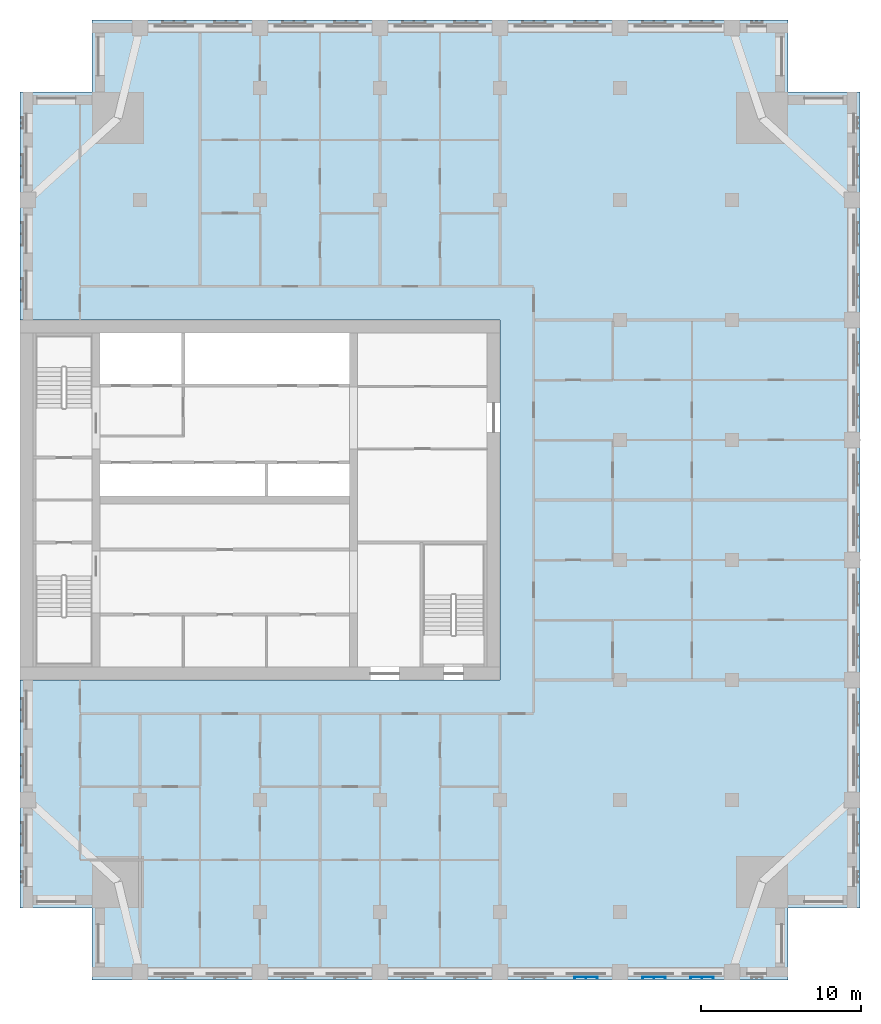
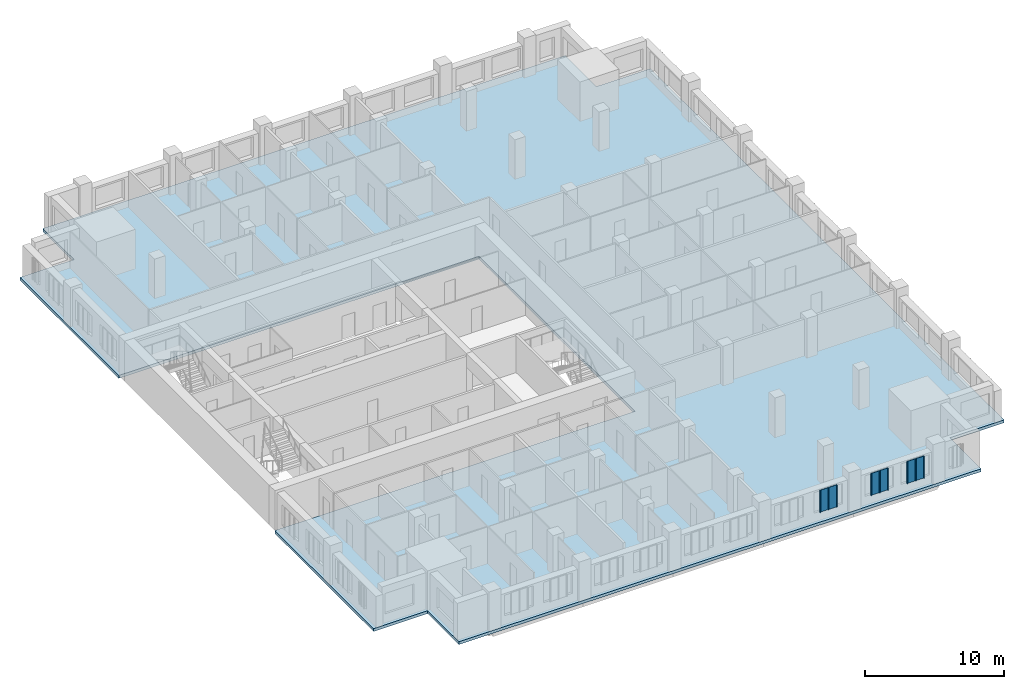
# One storey, part 3 of 14: 3 plates, 1 slab.
"""IFC4 building model written with IfcOpenShell, lengths in metres."""

from ifc_helpers import new_model, si_unit, direction, frame, origin, place, context, subcontext, project, spatial, polyline, outline, extrude, material, layer, layer_set, type_object, element, save


model = new_model("IFC4")

# Units and contexts
model_context = context("Model", 3, precision=1e-05, world=origin(), true_north=direction((0.0, 1.0)))
body_context = subcontext(model_context, "Body", "Model", "MODEL_VIEW")
ifc_project = project(units=[si_unit("LENGTHUNIT", "METRE"), si_unit("AREAUNIT", "SQUARE_METRE"), si_unit("VOLUMEUNIT", "CUBIC_METRE"), si_unit("PLANEANGLEUNIT", "RADIAN"), si_unit("MASSUNIT", "GRAM", prefix="KILO")], contexts=[model_context])

# Site, building, storey
site_placement = place(None, origin())
site = spatial("IfcSite", under=ifc_project, at=site_placement, CompositionType="ELEMENT")
building_placement = place(site_placement, origin())
building = spatial("IfcBuilding", under=site, at=building_placement, Name="Tamorin Gate", CompositionType="ELEMENT")
storey_placement = place(building_placement, frame((0.0, 0.0, 193.199951171875)))
storey = spatial("IfcBuildingStorey", under=building, at=storey_placement, Name="L47", CompositionType="ELEMENT", Elevation=193.199951171875)

# Slab
ifc_material_1 = material(Name="Concrete C40/50", Category="concrete")
ifc_layer_1 = layer(ifc_material_1, 0.25)
ifc_layer_set_1 = layer_set([ifc_layer_1], Name="Floor slab 250 C40/50")
slab_type = type_object("IfcSlabType", Name="Floor slab 250 C40/50", PredefinedType="FLOOR", material=ifc_layer_set_1)
slab_placement = place(storey_placement, frame((0.0, 0.0, -0.25)))
element("IfcSlab", 1, at=slab_placement, inside=storey, type_object=slab_type, Name="Floor L47", PredefinedType="FLOOR", context=body_context, shape_type="SweptSolid", body=[
    extrude(outline(polyline([(30.0, 96.75), (34.5, 96.75), (34.5, 101.25), (78.0, 101.25), (78.0, 96.75), (82.5, 96.75), (82.5, 45.75), (78.0, 45.75), (78.0, 41.25), (34.5, 41.25), (34.5, 45.75), (30.0, 45.75), (30.0, 60.0), (60.0, 60.0), (60.0, 82.5), (30.0, 82.5), (30.0, 96.75)])), origin(), (0.0, 0.0, 1.0), 0.25),
])

# Plates
ifc_material_2 = material(Name="Perforated pale aluminium sheet", Category="aluminium")
ifc_layer_2 = layer(ifc_material_2, 0.0400390625)
ifc_layer_set_2 = layer_set([ifc_layer_2], Name="Pale metal solar screen 1440")
plate_type = type_object("IfcPlateType", Name="Pale metal solar screen 1440", PredefinedType="SHEET", material=ifc_layer_set_2)
plate_1_placement = place(storey_placement, frame((0.0, 0.0, 0.737548828125)))
element("IfcPlate", 2, at=plate_1_placement, inside=storey, type_object=plate_type, Name="Perforated solar screen", PredefinedType="SHEET", context=body_context, shape_type="SweptSolid", body=[
    extrude(outline(polyline([(64.655029296875, 41.409912109375), (64.655029296875, 41.449951171875), (64.715087890625, 41.449951171875), (65.344970703125, 41.449951171875), (65.405029296875, 41.449951171875), (66.034912109375, 41.449951171875), (66.094970703125, 41.449951171875), (66.094970703125, 41.409912109375), (66.094970703125, 41.35009765625), (66.034912109375, 41.35009765625), (66.034912109375, 41.409912109375), (65.405029296875, 41.409912109375), (65.405029296875, 41.35009765625), (65.344970703125, 41.35009765625), (65.344970703125, 41.409912109375), (64.715087890625, 41.409912109375), (64.715087890625, 41.35009765625), (64.655029296875, 41.35009765625), (64.655029296875, 41.409912109375)])), origin(), (0.0, 0.0, 1.0), 1.925048828125),
])
plate_2_placement = place(storey_placement, frame((0.0, 0.0, 0.737548828125)))
element("IfcPlate", 3, at=plate_2_placement, inside=storey, type_object=plate_type, Name="Perforated solar screen", PredefinedType="SHEET", context=body_context, shape_type="SweptSolid", body=[
    extrude(outline(polyline([(68.905029296875, 41.409912109375), (68.905029296875, 41.449951171875), (68.965087890625, 41.449951171875), (69.594970703125, 41.449951171875), (69.655029296875, 41.449951171875), (70.284912109375, 41.449951171875), (70.344970703125, 41.449951171875), (70.344970703125, 41.409912109375), (70.344970703125, 41.35009765625), (70.284912109375, 41.35009765625), (70.284912109375, 41.409912109375), (69.655029296875, 41.409912109375), (69.655029296875, 41.35009765625), (69.594970703125, 41.35009765625), (69.594970703125, 41.409912109375), (68.965087890625, 41.409912109375), (68.965087890625, 41.35009765625), (68.905029296875, 41.35009765625), (68.905029296875, 41.409912109375)])), origin(), (0.0, 0.0, 1.0), 1.925048828125),
])
plate_3_placement = place(storey_placement, frame((0.0, 0.0, 0.737548828125)))
element("IfcPlate", 4, at=plate_3_placement, inside=storey, type_object=plate_type, Name="Perforated solar screen", PredefinedType="SHEET", context=body_context, shape_type="SweptSolid", body=[
    extrude(outline(polyline([(71.905029296875, 41.409912109375), (71.905029296875, 41.449951171875), (71.965087890625, 41.449951171875), (72.594970703125, 41.449951171875), (72.655029296875, 41.449951171875), (73.284912109375, 41.449951171875), (73.344970703125, 41.449951171875), (73.344970703125, 41.409912109375), (73.344970703125, 41.35009765625), (73.284912109375, 41.35009765625), (73.284912109375, 41.409912109375), (72.655029296875, 41.409912109375), (72.655029296875, 41.35009765625), (72.594970703125, 41.35009765625), (72.594970703125, 41.409912109375), (71.965087890625, 41.409912109375), (71.965087890625, 41.35009765625), (71.905029296875, 41.35009765625), (71.905029296875, 41.409912109375)])), origin(), (0.0, 0.0, 1.0), 1.925048828125),
])

save(model, "model.ifc")
